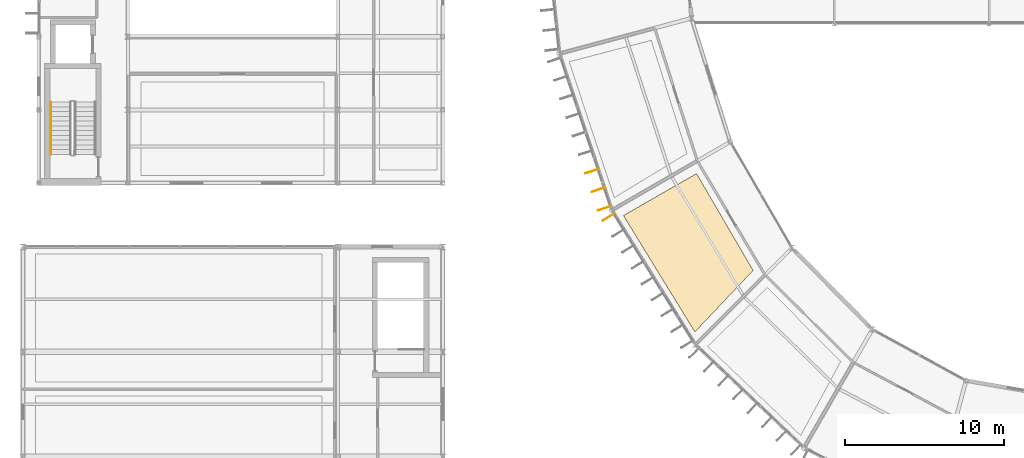
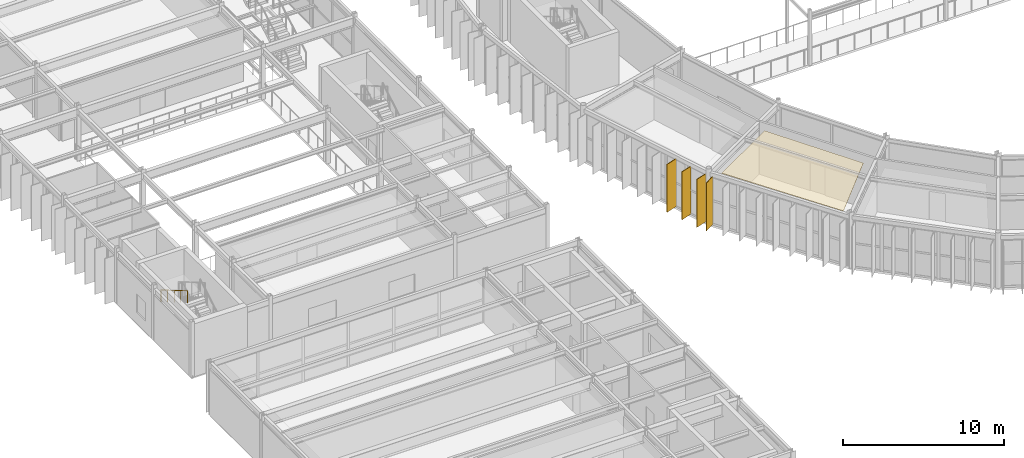
# One storey, part 134 of 147: 4 shading devices, 1 covering, 1 railing.
"""IFC4 building model written with IfcOpenShell, lengths in metres."""

from ifc_helpers import new_model, si_unit, direction, frame, origin, origin_2d, place, context, subcontext, project, spatial, polyline, rectangle, circle, outline, extrude, material, layer, layer_set, type_object, element, save


model = new_model("IFC4")

# Units and contexts
model_context = context("Model", 3, precision=1e-05, world=origin(), true_north=direction((0.0, 1.0)))
body_context = subcontext(model_context, "Body", "Model", "MODEL_VIEW")
ifc_project = project(units=[si_unit("LENGTHUNIT", "METRE"), si_unit("AREAUNIT", "SQUARE_METRE"), si_unit("VOLUMEUNIT", "CUBIC_METRE"), si_unit("PLANEANGLEUNIT", "RADIAN"), si_unit("MASSUNIT", "GRAM", prefix="KILO")], contexts=[model_context])

# Site, building, storey
site_placement = place(None, origin())
site = spatial("IfcSite", under=ifc_project, at=site_placement, CompositionType="ELEMENT")
building_placement = place(site_placement, origin())
building = spatial("IfcBuilding", under=site, at=building_placement, Name="Karori Crest Natural Sciences Institute", CompositionType="ELEMENT")
storey_placement = place(building_placement, frame((0.0, 0.0, 9.10009765625)))
storey = spatial("IfcBuildingStorey", under=building, at=storey_placement, Name="L02", CompositionType="ELEMENT", Elevation=9.10009765625)

# Covering
ifc_material_1 = material(Name="Acoustic mineral fibre ceiling tile")
ifc_layer_1 = layer(ifc_material_1, 0.02490234375, Name="Acoustic mineral fibre ceiling tile")
ifc_layer_set_1 = layer_set([ifc_layer_1], Name="Acoustic mineral fibre ceiling tile")
covering_type = type_object("IfcCoveringType", Name="CVT-CEIL", PredefinedType="CEILING", material=ifc_layer_set_1)
covering_placement = place(storey_placement, frame((0.0, 0.0, 3.704833984375)))
element("IfcCovering", 1, at=covering_placement, inside=storey, type_object=covering_type, Name="Acoustic ceiling CLG-0071", PredefinedType="CEILING", context=body_context, shape_type="SweptSolid", body=[
    extrude(outline(polyline([(46.7001953125, 25.714599609375), (43.14501953125, 31.80126953125), (38.54638671875, 29.162109375), (43.041015625, 21.849609375), (46.7001953125, 25.714599609375)])), origin(), (0.0, 0.0, 1.0), 0.025146484375),
])

# Railing
ifc_material_2 = material(Name="Stainless steel 316 tubular handrail", Category="steel")
railing_type = type_object("IfcRailingType", Name="RLT-HND", PredefinedType="HANDRAIL", material=ifc_material_2)
railing_placement = place(storey_placement, frame((2.550048828125, 36.300048828125, 2.27490234375)))
element("IfcRailing", 2, at=railing_placement, inside=storey, type_object=railing_type, Name="Stair handrail RL-0330", PredefinedType="HANDRAIL", context=body_context, shape_type="SweptSolid", body=[
    extrude(circle(Radius=0.02392578125, at=origin_2d()), frame((0.0, 0.0, 0.90087890625), z_axis=(0.0, -0.863776583165, 0.503874998761), x_axis=(1.0, 0.0, 0.0)), (0.0, 0.0, 1.0), 3.820556640625),
    extrude(circle(Radius=0.02099609375, at=origin_2d()), origin(), (0.0, 0.0, 1.0), 0.876953125),
    extrude(circle(Radius=0.02099609375, at=origin_2d()), frame((0.0, -0.824951171875, 0.481201171875)), (0.0, 0.0, 1.0), 0.876953125),
    extrude(circle(Radius=0.02099609375, at=origin_2d()), frame((0.0, -1.64990234375, 0.96240234375)), (0.0, 0.0, 1.0), 0.876953125),
    extrude(circle(Radius=0.02099609375, at=origin_2d()), frame((0.0, -2.47509765625, 1.44384765625)), (0.0, 0.0, 1.0), 0.876953125),
    extrude(circle(Radius=0.02099609375, at=origin_2d()), frame((0.0, -3.300048828125, 1.925048828125)), (0.0, 0.0, 1.0), 0.876953125),
])

# Shading devices
ifc_material_3 = material(Name="Anodised architectural aluminium 6063-T6", Category="aluminium")
ifc_layer_2 = layer(ifc_material_3, 0.044921875, Name="Anodised architectural aluminium 6063-T6")
ifc_layer_set_2 = layer_set([ifc_layer_2], Name="Anodised architectural aluminium 6063-T6")
shading_device_type = type_object("IfcShadingDeviceType", Name="SDT-FIN", PredefinedType="USERDEFINED", material=ifc_layer_set_2)
for number, where, z_axis, x_axis, name in (
    (3, (37.349853515625, 29.6162109375, 0.0), (0.0, 0.0, 1.0), (-0.948196204549, -0.317685312343, 0.0), "Vertical solar fin FN-0316"),
    (4, (36.958984375, 30.78271484375, 0.0), (0.0, 0.0, 1.0), (-0.948196204549, -0.317685312343, 0.0), "Vertical solar fin FN-0317"),
    (5, (36.568115234375, 31.94921875, 0.0), (0.0, 0.0, 1.0), (-0.948196204549, -0.317685312343, 0.0), "Vertical solar fin FN-0318"),
    (6, (37.610107421875, 29.06298828125, 0.0), (0.0, 0.0, 1.0), (-0.849665445313, -0.527322132136, 0.0), "Vertical solar fin FN-0333"),
):
    element("IfcShadingDevice", number, at=place(storey_placement, frame(where, z_axis=z_axis, x_axis=x_axis)), inside=storey, type_object=shading_device_type, Name=name, ObjectType="SOLAR_FIN", PredefinedType="USERDEFINED", context=body_context, shape_type="SweptSolid", body=[
        extrude(rectangle(XDim=0.85009765625, YDim=0.044921875, at=origin_2d()), origin(), (0.0, 0.0, 1.0), 3.625),
    ])

save(model, "model.ifc")
